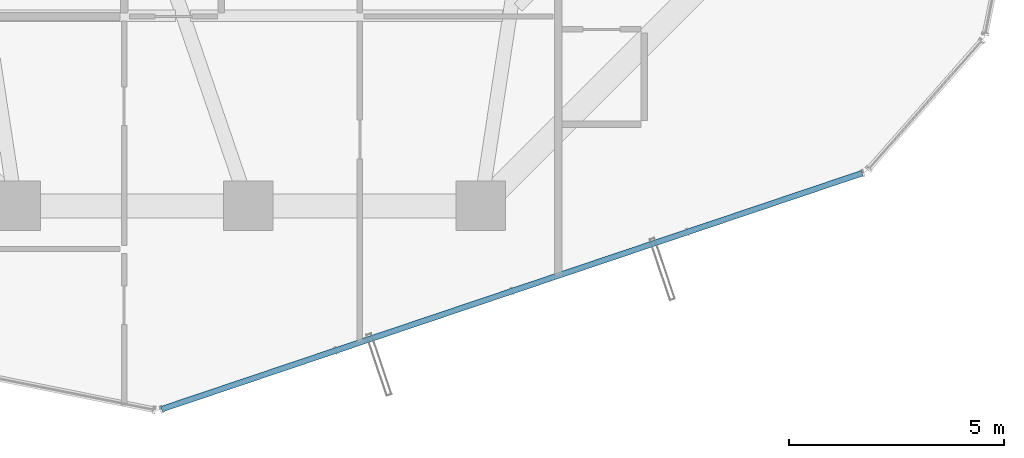
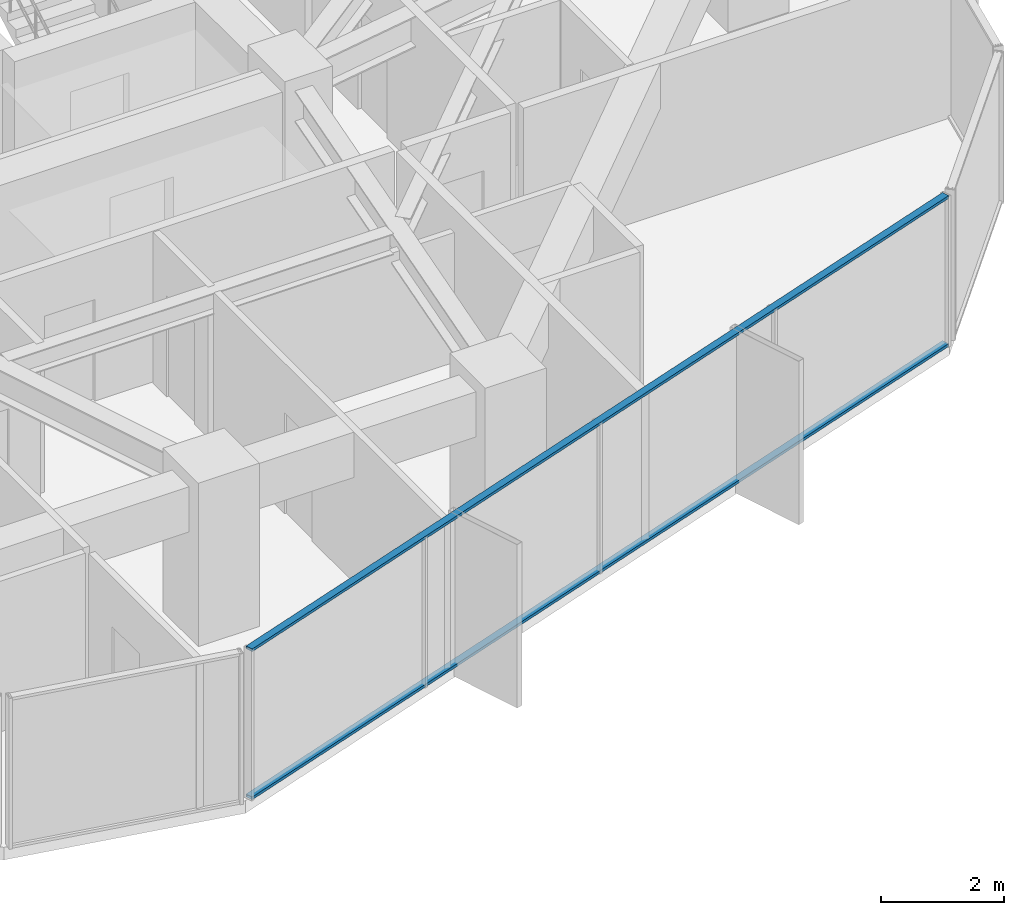
# One storey, part 8 of 32: 2 members, 1 element without a shape of its own.
"""IFC4 building model written with IfcOpenShell, lengths in metres."""

from ifc_helpers import new_model, si_unit, direction, frame, origin, origin_2d, place, context, subcontext, project, spatial, hollow_rectangle, extrude, source, transform, mapped, material, layer, layer_set, material_profile, profile_set, type_object, element, aggregate, save


model = new_model("IFC4")

# Units and contexts
model_context = context("Model", 3, precision=1e-05, world=origin(), true_north=direction((0.0, 1.0)))
body_context = subcontext(model_context, "Body", "Model", "MODEL_VIEW")
ifc_project = project(units=[si_unit("LENGTHUNIT", "METRE"), si_unit("AREAUNIT", "SQUARE_METRE"), si_unit("VOLUMEUNIT", "CUBIC_METRE"), si_unit("PLANEANGLEUNIT", "RADIAN"), si_unit("MASSUNIT", "GRAM", prefix="KILO")], contexts=[model_context])

# Site, building, storey
site_placement = place(None, origin())
site = spatial("IfcSite", under=ifc_project, at=site_placement, CompositionType="ELEMENT")
building_placement = place(site_placement, origin())
building = spatial("IfcBuilding", under=site, at=building_placement, Name="Veraguas Prism Commons", CompositionType="ELEMENT")
storey_placement = place(building_placement, frame((0.0, 0.0, 89.449951171875)))
storey = spatial("IfcBuildingStorey", under=building, at=storey_placement, Name="L24", CompositionType="ELEMENT", Elevation=89.449951171875)

# Curtain wall, members
ifc_material = material(Name="Anodised aluminium EN AW-6063 T6", Category="aluminium")
ifc_layer = layer(ifc_material, 0.169921875, Name="Unitised Flush Curtain Wall Zone 2", Category="aluminium")
ifc_layer_set = layer_set([ifc_layer], Name="Anodised aluminium EN AW-6063 T6")
curtain_wall_type = type_object("IfcCurtainWallType", Name="Unitised Flush Curtain Wall Zone 2", PredefinedType="NOTDEFINED", material=ifc_layer_set)
curtain_wall_placement = place(storey_placement, origin())
curtain_wall = element("IfcCurtainWall", 1, at=curtain_wall_placement, inside=storey, type_object=curtain_wall_type, Name="Tower Facade Curtain Wall L24-F5", PredefinedType="NOTDEFINED")
ifc_material_profile = material_profile(ifc_material, hollow_rectangle(XDim=0.054931640625, YDim=0.135009765625, WallThickness=0.0029296875, at=origin_2d()), Name="AL55X135X3")
ifc_profile_set = profile_set([ifc_material_profile], Name="Anodised aluminium EN AW-6063 T6")
member_type = type_object("IfcMemberType", Name="Curtain Wall Transom Standard AL 55x135x3", PredefinedType="USERDEFINED", material=ifc_profile_set)
shared_shape = source(origin(), body_context, "Body", "SweptSolid", [
    extrude(hollow_rectangle(XDim=0.054931640625, YDim=0.135009765625, WallThickness=0.0029296875, at=origin_2d()), origin(), (0.0, 0.0, 1.0), 17.17431640625),
])
member_1_placement = place(storey_placement, frame((21.987060546875, 3.079833984375, 0.027587890625), z_axis=(0.947660555831, 0.319279612444, 0.0), x_axis=(0.0, 0.0, 1.0)))
member_1 = element("IfcMember", 2, at=member_1_placement, type_object=member_type, Name="CW-Z2 Transom 1", ObjectType="TRANSOM", PredefinedType="USERDEFINED", context=body_context, shape_type="MappedRepresentation", body=[
    mapped(shared_shape, transform((0.0, 0.0, 0.0), scale=1.0)),
])
member_2_placement = place(storey_placement, frame((21.987060546875, 3.079833984375, 2.97265625), z_axis=(0.947660555831, 0.319279612444, 0.0), x_axis=(0.0, 0.0, 1.0)))
member_2 = element("IfcMember", 3, at=member_2_placement, type_object=member_type, Name="CW-Z2 Transom 2", ObjectType="TRANSOM", PredefinedType="USERDEFINED", context=body_context, shape_type="MappedRepresentation", body=[
    mapped(shared_shape, transform((0.0, 0.0, 0.0), scale=1.0)),
])
aggregate(curtain_wall, [member_1, member_2])

save(model, "model.ifc")
